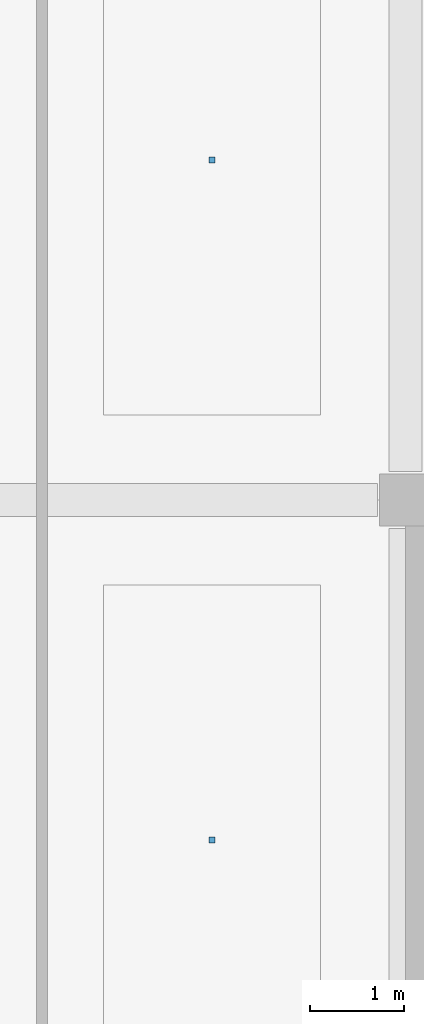
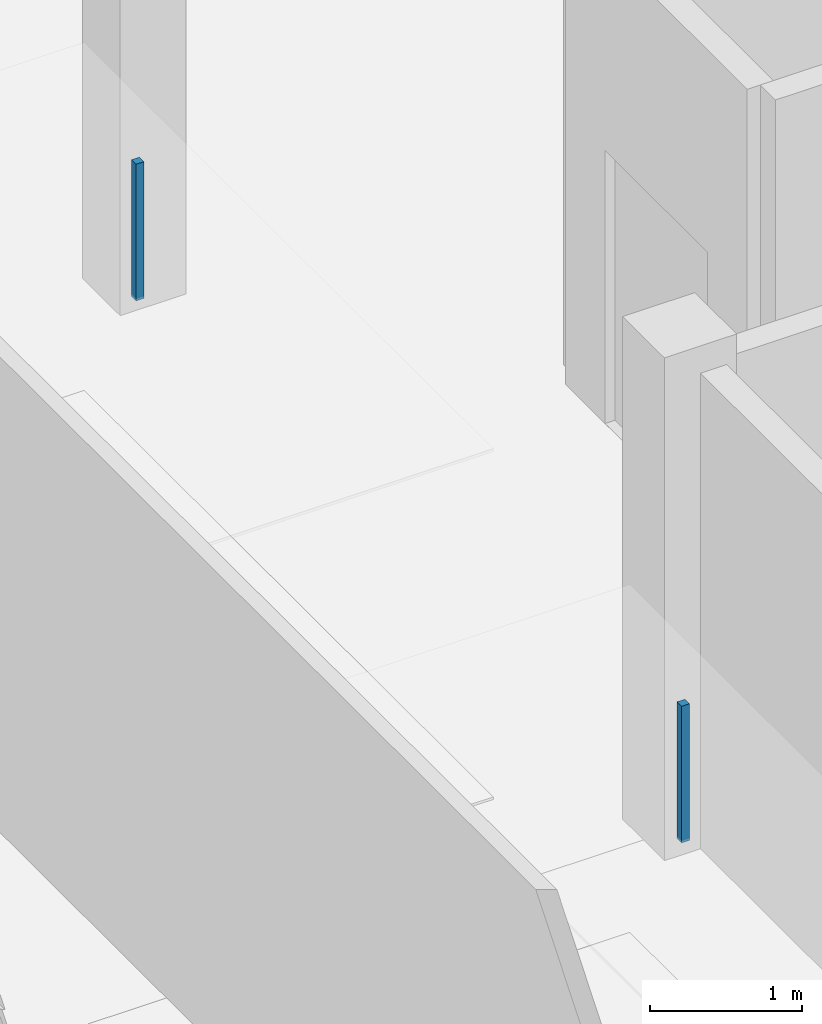
# One storey, part 24 of 26: 2 discrete accessories.
"""IFC4 building model written with IfcOpenShell, lengths in metres."""

from ifc_helpers import new_model, si_unit, direction, frame, origin, origin_2d, place, context, subcontext, project, spatial, rectangle, extrude, material, type_object, element, save


model = new_model("IFC4")

# Units and contexts
model_context = context("Model", 3, precision=1e-05, world=origin(), true_north=direction((0.0, 1.0)))
body_context = subcontext(model_context, "Body", "Model", "MODEL_VIEW")
ifc_project = project(units=[si_unit("LENGTHUNIT", "METRE"), si_unit("AREAUNIT", "SQUARE_METRE"), si_unit("VOLUMEUNIT", "CUBIC_METRE"), si_unit("PLANEANGLEUNIT", "RADIAN"), si_unit("MASSUNIT", "GRAM", prefix="KILO")], contexts=[model_context])

# Site, building, storey
site_placement = place(None, origin())
site = spatial("IfcSite", under=ifc_project, at=site_placement, CompositionType="ELEMENT")
building_placement = place(site_placement, origin())
building = spatial("IfcBuilding", under=site, at=building_placement, Name="Kangsadwip Square Police Headquarters", CompositionType="ELEMENT")
storey_placement = place(building_placement, frame((0.0, 0.0, 25.64990234375)))
storey = spatial("IfcBuildingStorey", under=building, at=storey_placement, Name="L06", CompositionType="ELEMENT", Elevation=25.64990234375)

# Discrete accessories
ifc_material = material(Name="Structural steel IS 2062 E350 (Grade 350, 350 MPa)", Category="steel")
discrete_accessory_type = type_object("IfcDiscreteAccessoryType", Name="VeilOutriggerBracket", PredefinedType="BRACKET", material=ifc_material)
for number, where, z_axis, x_axis, name in (
    (1, (149.14990234375, 61.199951171875, 2.81005859375), (0.0, 0.0, 1.0), (1.0, 0.0, 0.0), "Ceiling Suspension Hanger L06-160"),
    (2, (149.14990234375, 68.39990234375, 2.81005859375), (0.0, 0.0, 1.0), (1.0, 0.0, 0.0), "Ceiling Suspension Hanger L06-161"),
):
    element("IfcDiscreteAccessory", number, at=place(storey_placement, frame(where, z_axis=z_axis, x_axis=x_axis)), inside=storey, type_object=discrete_accessory_type, Name=name, PredefinedType="BRACKET", context=body_context, shape_type="SweptSolid", body=[
        extrude(rectangle(XDim=0.06005859375, YDim=0.06005859375, at=origin_2d()), origin(), (0.0, 0.0, 1.0), 1.10009765625),
    ])

save(model, "model.ifc")
